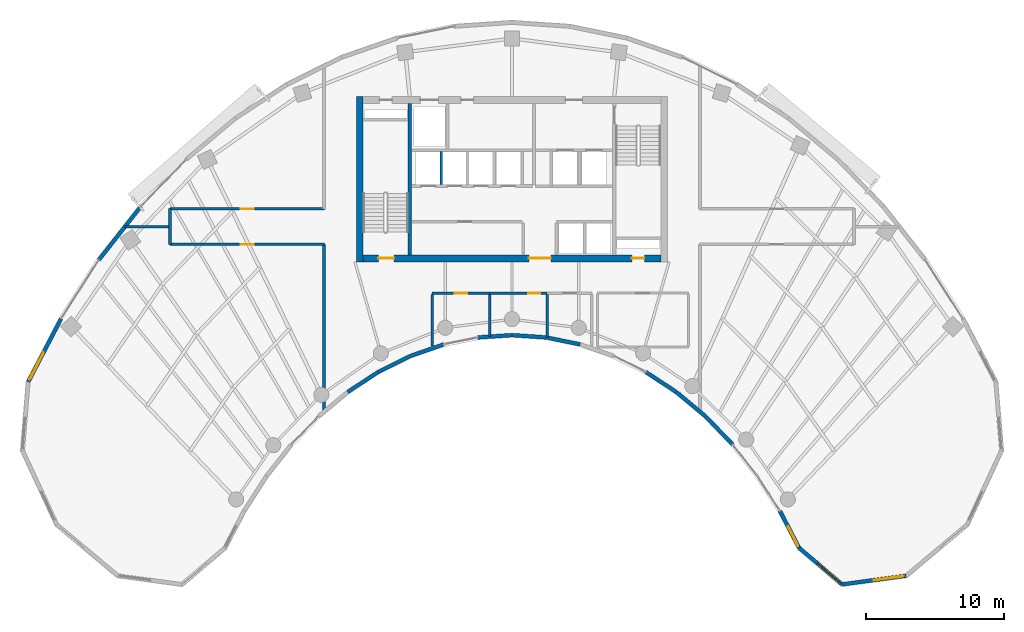
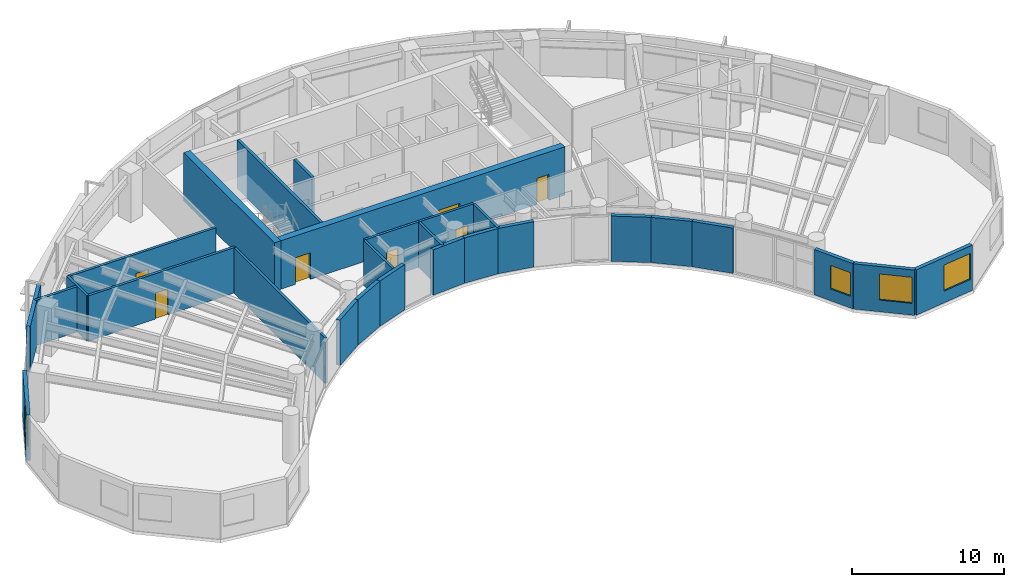
# One storey, part 8 of 13: 28 walls, 7 doors, 4 windows, 11 openings.
"""IFC4 building model written with IfcOpenShell, lengths in metres."""

from ifc_helpers import new_model, si_unit, direction, frame, frame_2d, origin, place, context, subcontext, project, spatial, rectangle, extrude, source, transform, mapped, material, layer, layer_set, type_object, type_shapes, element, fill, save


model = new_model("IFC4")

# Units and contexts
model_context = context("Model", 3, precision=1e-05, world=origin(), true_north=direction((0.0, 1.0)))
body_context = subcontext(model_context, "Body", "Model", "MODEL_VIEW")
ifc_project = project(units=[si_unit("LENGTHUNIT", "METRE"), si_unit("AREAUNIT", "SQUARE_METRE"), si_unit("VOLUMEUNIT", "CUBIC_METRE"), si_unit("PLANEANGLEUNIT", "RADIAN"), si_unit("MASSUNIT", "GRAM", prefix="KILO")], contexts=[model_context])

# Site, building, storey
site_placement = place(None, origin())
site = spatial("IfcSite", under=ifc_project, at=site_placement, CompositionType="ELEMENT")
building_placement = place(site_placement, origin())
building = spatial("IfcBuilding", under=site, at=building_placement, Name="Breltana Convention Tower", CompositionType="ELEMENT")
storey_placement = place(building_placement, frame((0.0, 0.0, 158.39990234375)))
storey = spatial("IfcBuildingStorey", under=building, at=storey_placement, Name="L38", CompositionType="ELEMENT", Elevation=158.39990234375)

# Wall
ifc_material_1 = material(Name="Concrete C60/75", Category="concrete")
ifc_layer_1 = layer(ifc_material_1, 0.5, Name="Concrete C60/75")
ifc_layer_set_1 = layer_set([ifc_layer_1], Name="Concrete C60/75")
wall_type_1 = type_object("IfcWallType", Name="SW-CORE-500", PredefinedType="SHEAR", material=ifc_layer_set_1)
shared_shape_1 = source(origin(), body_context, "Body", "SweptSolid", [
    extrude(rectangle(XDim=12.0, YDim=0.5, at=frame_2d((6.0, 0.0))), origin(), (0.0, 0.0, 1.0), 3.900146484375),
])
wall_1_placement = place(storey_placement, frame((36.949951171875, 60.199951171875, 0.0), z_axis=(0.0, 0.0, 1.0), x_axis=(0.0, 1.0, 0.0)))
element("IfcWall", 1, at=wall_1_placement, inside=storey, type_object=wall_type_1, Name="L38 West Core Shear Wall", PredefinedType="SHEAR", context=body_context, shape_type="MappedRepresentation", body=[
    mapped(shared_shape_1, transform((0.0, 0.0, 0.0), scale=1.0)),
])

# Wall, openings, doors
shared_shape_2 = source(origin(), body_context, "Body", "SweptSolid", [
    extrude(rectangle(XDim=21.60009765625, YDim=0.5, at=frame_2d((10.800048828125, 0.0))), origin(), (0.0, 0.0, 1.0), 3.900146484375),
])
wall_2_placement = place(storey_placement, frame((37.199951171875, 60.449951171875, 0.0), z_axis=(0.0, 0.0, 1.0), x_axis=(1.0, 0.0, 0.0)))
wall_2 = element("IfcWall", 2, at=wall_2_placement, inside=storey, type_object=wall_type_1, Name="L38 South Core Shear Wall", PredefinedType="SHEAR", context=body_context, shape_type="MappedRepresentation", body=[
    mapped(shared_shape_2, transform((0.0, 0.0, 0.0), scale=1.0)),
])
opening_1_placement = place(wall_2_placement, frame((1.10009765625, 0.0, 0.0)))
opening_1 = element("IfcOpeningElement", 3, at=opening_1_placement, cuts=wall_2, Name="Opening D-11", PredefinedType="OPENING", context=body_context, shape_type="SweptSolid", body=[
    extrude(rectangle(XDim=1.14990234375, YDim=2.14990234375, at=frame_2d((0.574951171875, 1.074951171875))), frame((0.0, 0.260009765625, 0.0), z_axis=(0.0, -1.0, 0.0), x_axis=(1.0, 0.0, 0.0)), (0.0, 0.0, 1.0), 0.52001953125),
])
opening_2_placement = place(wall_2_placement, frame((19.5, 0.0, 0.0)))
opening_2 = element("IfcOpeningElement", 4, at=opening_2_placement, cuts=wall_2, Name="Opening D-18", PredefinedType="OPENING", context=body_context, shape_type="SweptSolid", body=[
    extrude(rectangle(XDim=0.89990234375, YDim=2.10009765625, at=frame_2d((0.449951171875, 1.050048828125))), frame((0.0, 0.260009765625, 0.0), z_axis=(0.0, -1.0, 0.0), x_axis=(1.0, 0.0, 0.0)), (0.0, 0.0, 1.0), 0.52001953125),
])
opening_3_placement = place(wall_2_placement, frame((12.02001953125, 0.0, 0.0)))
opening_3 = element("IfcOpeningElement", 5, at=opening_3_placement, cuts=wall_2, Name="Opening D-02", PredefinedType="OPENING", context=body_context, shape_type="SweptSolid", body=[
    extrude(rectangle(XDim=1.60009765625, YDim=2.14990234375, at=frame_2d((0.800048828125, 1.074951171875))), frame((0.0, 0.260009765625, 0.0), z_axis=(0.0, -1.0, 0.0), x_axis=(1.0, 0.0, 0.0)), (0.0, 0.0, 1.0), 0.52001953125),
])
ifc_material_2 = material(Name="Steel Stair Exit Door", Category="steel")
door_type_1 = type_object("IfcDoorType", Name="DR-FD120-1150", OperationType="NOTDEFINED", PredefinedType="DOOR", material=ifc_material_2)
shared_shape_3 = source(origin(), body_context, "Body", "SweptSolid", [
    extrude(rectangle(XDim=1.14990234375, YDim=2.14990234375, at=frame_2d((0.574951171875, 1.074951171875))), frame((0.0, 0.02490234375, 0.0), z_axis=(0.0, -1.0, 0.0), x_axis=(1.0, 0.0, 0.0)), (0.0, 0.0, 1.0), 0.050048828125),
])
type_shapes(door_type_1, [shared_shape_3])
door_1_placement = place(opening_1_placement, origin())
door_1 = element("IfcDoor", 6, at=door_1_placement, inside=storey, type_object=door_type_1, Name="L38 interior door D-L38-ST1", OperationType="SINGLE_SWING_LEFT", OverallHeight=2.14990234375, OverallWidth=1.14990234375, PredefinedType="DOOR", context=body_context, shape_type="MappedRepresentation", body=[
    mapped(shared_shape_3, transform((0.0, 0.0, 0.0), scale=1.0)),
])
fill(opening_1, door_1)
ifc_material_3 = material(Name="Steel Riser Fire Door", Category="steel")
door_type_2 = type_object("IfcDoorType", Name="DR-FD60-900", OperationType="NOTDEFINED", PredefinedType="DOOR", material=ifc_material_3)
shared_shape_4 = source(origin(), body_context, "Body", "SweptSolid", [
    extrude(rectangle(XDim=0.89990234375, YDim=2.10009765625, at=frame_2d((0.449951171875, 1.050048828125))), frame((0.0, 0.02490234375, 0.0), z_axis=(0.0, -1.0, 0.0), x_axis=(1.0, 0.0, 0.0)), (0.0, 0.0, 1.0), 0.050048828125),
])
type_shapes(door_type_2, [shared_shape_4])
door_2_placement = place(opening_2_placement, origin())
door_2 = element("IfcDoor", 7, at=door_2_placement, inside=storey, type_object=door_type_2, Name="L38 Core Riser Access Door D-L38-RS2", OperationType="SINGLE_SWING_RIGHT", OverallHeight=2.10009765625, OverallWidth=0.89990234375, PredefinedType="DOOR", context=body_context, shape_type="MappedRepresentation", body=[
    mapped(shared_shape_4, transform((0.0, 0.0, 0.0), scale=1.0)),
])
fill(opening_2, door_2)
ifc_material_4 = material(Name="Steel Glazed Smoke-Control Door", Category="steel")
door_type_3 = type_object("IfcDoorType", Name="DR-DBL-FD90-1600", OperationType="DOUBLE_DOOR_SINGLE_SWING", PredefinedType="DOOR", material=ifc_material_4)
shared_shape_5 = source(origin(), body_context, "Body", "SweptSolid", [
    extrude(rectangle(XDim=1.60009765625, YDim=2.14990234375, at=frame_2d((0.800048828125, 1.074951171875))), frame((0.0, 0.02490234375, 0.0), z_axis=(0.0, -1.0, 0.0), x_axis=(1.0, 0.0, 0.0)), (0.0, 0.0, 1.0), 0.050048828125),
])
type_shapes(door_type_3, [shared_shape_5])
door_3_placement = place(opening_3_placement, origin())
door_3 = element("IfcDoor", 8, at=door_3_placement, inside=storey, type_object=door_type_3, Name="L38 interior door D-L38-LLB-S", OperationType="DOUBLE_DOOR_SINGLE_SWING", OverallHeight=2.14990234375, OverallWidth=1.60009765625, PredefinedType="DOOR", context=body_context, shape_type="MappedRepresentation", body=[
    mapped(shared_shape_5, transform((0.0, 0.0, 0.0), scale=1.0)),
])
fill(opening_3, door_3)

# Wall
ifc_material_5 = material(Name="Concrete C50/60", Category="concrete")
ifc_layer_2 = layer(ifc_material_5, 0.39990234375, Name="Concrete C50/60")
ifc_layer_set_2 = layer_set([ifc_layer_2], Name="Concrete C50/60")
wall_type_2 = type_object("IfcWallType", Name="SW-CORE-400", PredefinedType="SHEAR", material=ifc_layer_set_2)
shared_shape_6 = source(origin(), body_context, "Body", "SweptSolid", [
    extrude(rectangle(XDim=11.0, YDim=0.219970703125, at=frame_2d((5.5, 0.0))), origin(), (0.0, 0.0, 1.0), 3.900146484375),
])
wall_3_placement = place(storey_placement, frame((40.580078125, 60.699951171875, 0.0), z_axis=(0.0, 0.0, 1.0), x_axis=(0.0, 1.0, 0.0)))
element("IfcWall", 9, at=wall_3_placement, inside=storey, type_object=wall_type_2, Name="L38 Core West Stair Spine Wall", PredefinedType="SHEAR", context=body_context, shape_type="MappedRepresentation", body=[
    mapped(shared_shape_6, transform((0.0, 0.0, 0.0), scale=1.0)),
])

# Wall, opening, window
ifc_material_6 = material(Name="Limestone Buff Insulated Wall", Category="masonry")
ifc_layer_3 = layer(ifc_material_6, 0.280029296875, Name="Limestone Buff Insulated Wall")
ifc_layer_set_3 = layer_set([ifc_layer_3], Name="Limestone Buff Insulated Wall")
wall_type_3 = type_object("IfcWallType", Name="WL-EXT-NOSE-280", PredefinedType="SOLIDWALL", material=ifc_layer_set_3)
shared_shape_7 = source(origin(), body_context, "Body", "SweptSolid", [
    extrude(rectangle(XDim=4.680419921875, YDim=0.280029296875, at=frame_2d((2.34033203125, 0.0))), origin(), (0.0, 0.0, 1.0), 3.650146484375),
])
wall_4_placement = place(storey_placement, frame((76.594482421875, 37.41650390625, 0.0), z_axis=(0.0, 0.0, 1.0), x_axis=(-0.990931146435, -0.134370618162, 0.0)))
wall_4 = element("IfcWall", 10, at=wall_4_placement, inside=storey, type_object=wall_type_3, Name="L38 curved limestone nose wall E4", PredefinedType="SOLIDWALL", context=body_context, shape_type="MappedRepresentation", body=[
    mapped(shared_shape_7, transform((0.0, 0.0, 0.0), scale=1.0)),
])
opening_4_placement = place(wall_4_placement, frame((0.159912109375, 0.0, 0.949951171875)))
opening_4 = element("IfcOpeningElement", 11, at=opening_4_placement, cuts=wall_4, Name="Opening W-03", PredefinedType="OPENING", context=body_context, shape_type="SweptSolid", body=[
    extrude(rectangle(XDim=2.199951171875, YDim=2.10009765625, at=frame_2d((1.10009765625, 1.050048828125))), frame((0.0, 0.14990234375, 0.0), z_axis=(0.0, -1.0, 0.0), x_axis=(1.0, 0.0, 0.0)), (0.0, 0.0, 1.0), 0.300048828125),
])
ifc_material_7 = material(Name="Glass Low-E Insulated Window", Category="glass")
window_type_1 = type_object("IfcWindowType", Name="WN-NOSE-2200X2100", PartitioningType="TRIPLE_PANEL_VERTICAL", PredefinedType="WINDOW", material=ifc_material_7)
shared_shape_8 = source(origin(), body_context, "Body", "SweptSolid", [
    extrude(rectangle(XDim=2.199951171875, YDim=2.10009765625, at=frame_2d((1.10009765625, 1.050048828125))), frame((0.0, 0.030029296875, 0.0), z_axis=(0.0, -1.0, 0.0), x_axis=(1.0, 0.0, 0.0)), (0.0, 0.0, 1.0), 0.06005859375),
])
type_shapes(window_type_1, [shared_shape_8])
window_1_placement = place(opening_4_placement, origin())
window_1 = element("IfcWindow", 12, at=window_1_placement, inside=storey, type_object=window_type_1, Name="L38 nose window E4", OverallHeight=2.10009765625, OverallWidth=2.199951171875, PartitioningType="TRIPLE_PANEL_VERTICAL", PredefinedType="WINDOW", context=body_context, shape_type="MappedRepresentation", body=[
    mapped(shared_shape_8, transform((0.0, 0.0, 0.0), scale=1.0)),
])
fill(opening_4, window_1)

shared_shape_9 = source(origin(), body_context, "Body", "SweptSolid", [
    extrude(rectangle(XDim=4.095947265625, YDim=0.280029296875, at=frame_2d((2.0478515625, 0.0))), origin(), (0.0, 0.0, 1.0), 3.650146484375),
])
wall_5_placement = place(storey_placement, frame((71.95654296875, 36.78759765625, 0.0), z_axis=(0.0, 0.0, 1.0), x_axis=(-0.761926081737, 0.647663991564, 0.0)))
wall_5 = element("IfcWall", 13, at=wall_5_placement, inside=storey, type_object=wall_type_3, Name="L38 curved limestone nose wall E5", PredefinedType="SOLIDWALL", context=body_context, shape_type="MappedRepresentation", body=[
    mapped(shared_shape_9, transform((0.0, 0.0, 0.0), scale=1.0)),
])
opening_5_placement = place(wall_5_placement, frame((0.159912109375, 0.0, 0.949951171875)))
opening_5 = element("IfcOpeningElement", 14, at=opening_5_placement, cuts=wall_5, Name="Opening W-03", PredefinedType="OPENING", context=body_context, shape_type="SweptSolid", body=[
    extrude(rectangle(XDim=2.199951171875, YDim=2.10009765625, at=frame_2d((1.10009765625, 1.050048828125))), frame((0.0, 0.14990234375, 0.0), z_axis=(0.0, -1.0, 0.0), x_axis=(1.0, 0.0, 0.0)), (0.0, 0.0, 1.0), 0.300048828125),
])
window_2_placement = place(opening_5_placement, origin())
window_2 = element("IfcWindow", 15, at=window_2_placement, inside=storey, type_object=window_type_1, Name="L38 nose window E5", OverallHeight=2.10009765625, OverallWidth=2.199951171875, PartitioningType="TRIPLE_PANEL_VERTICAL", PredefinedType="WINDOW", context=body_context, shape_type="MappedRepresentation", body=[
    mapped(shared_shape_8, transform((0.0, 0.0, 0.0), scale=1.0)),
])
fill(opening_5, window_2)

shared_shape_10 = source(origin(), body_context, "Body", "SweptSolid", [
    extrude(rectangle(XDim=3.02392578125, YDim=0.280029296875, at=frame_2d((1.511962890625, 0.0))), origin(), (0.0, 0.0, 1.0), 3.650146484375),
])
wall_6_placement = place(storey_placement, frame((68.835693359375, 39.4404296875, 0.0), z_axis=(0.0, 0.0, 1.0), x_axis=(-0.461718746531, 0.887026380161, 0.0)))
wall_6 = element("IfcWall", 16, at=wall_6_placement, inside=storey, type_object=wall_type_3, Name="L38 curved limestone nose wall E6", PredefinedType="SOLIDWALL", context=body_context, shape_type="MappedRepresentation", body=[
    mapped(shared_shape_10, transform((0.0, 0.0, 0.0), scale=1.0)),
])
opening_6_placement = place(wall_6_placement, frame((0.159912109375, 0.0, 0.949951171875)))
opening_6 = element("IfcOpeningElement", 17, at=opening_6_placement, cuts=wall_6, Name="Opening W-04", PredefinedType="OPENING", context=body_context, shape_type="SweptSolid", body=[
    extrude(rectangle(XDim=1.60009765625, YDim=1.89990234375, at=frame_2d((0.800048828125, 0.949951171875))), frame((0.0, 0.14990234375, 0.0), z_axis=(0.0, -1.0, 0.0), x_axis=(1.0, 0.0, 0.0)), (0.0, 0.0, 1.0), 0.300048828125),
])
window_type_2 = type_object("IfcWindowType", Name="WN-NOSE-1600X1900", PartitioningType="SINGLE_PANEL", PredefinedType="WINDOW", material=ifc_material_7)
shared_shape_11 = source(origin(), body_context, "Body", "SweptSolid", [
    extrude(rectangle(XDim=1.60009765625, YDim=1.89990234375, at=frame_2d((0.800048828125, 0.949951171875))), frame((0.0, 0.030029296875, 0.0), z_axis=(0.0, -1.0, 0.0), x_axis=(1.0, 0.0, 0.0)), (0.0, 0.0, 1.0), 0.06005859375),
])
type_shapes(window_type_2, [shared_shape_11])
window_3_placement = place(opening_6_placement, origin())
window_3 = element("IfcWindow", 18, at=window_3_placement, inside=storey, type_object=window_type_2, Name="L38 nose window E6", OverallHeight=1.89990234375, OverallWidth=1.60009765625, PartitioningType="SINGLE_PANEL", PredefinedType="WINDOW", context=body_context, shape_type="MappedRepresentation", body=[
    mapped(shared_shape_11, transform((0.0, 0.0, 0.0), scale=1.0)),
])
fill(opening_6, window_3)

# Walls
shared_shape_12 = source(origin(), body_context, "Body", "SweptSolid", [
    extrude(rectangle(XDim=2.812255859375, YDim=0.280029296875, at=frame_2d((1.40625, 0.0))), origin(), (0.0, 0.0, 1.0), 3.650146484375),
])
wall_7_placement = place(storey_placement, frame((64.00830078125, 46.9501953125, 0.0), z_axis=(0.0, 0.0, 1.0), x_axis=(-0.694583668785, 0.719411931411, 0.0)))
element("IfcWall", 19, at=wall_7_placement, inside=storey, type_object=wall_type_3, Name="L38 curved limestone nose wall E7", PredefinedType="SOLIDWALL", context=body_context, shape_type="MappedRepresentation", body=[
    mapped(shared_shape_12, transform((0.0, 0.0, 0.0), scale=1.0)),
])
shared_shape_13 = source(origin(), body_context, "Body", "SweptSolid", [
    extrude(rectangle(XDim=2.7294921875, YDim=0.280029296875, at=frame_2d((1.36474609375, 0.0))), origin(), (0.0, 0.0, 1.0), 3.650146484375),
])
wall_8_placement = place(storey_placement, frame((62.040771484375, 48.986572265625, 0.0), z_axis=(0.0, 0.0, 1.0), x_axis=(-0.767957284255, 0.640501061326, 0.0)))
element("IfcWall", 20, at=wall_8_placement, inside=storey, type_object=wall_type_3, Name="L38 curved limestone nose wall E8", PredefinedType="SOLIDWALL", context=body_context, shape_type="MappedRepresentation", body=[
    mapped(shared_shape_13, transform((0.0, 0.0, 0.0), scale=1.0)),
])
shared_shape_14 = source(origin(), body_context, "Body", "SweptSolid", [
    extrude(rectangle(XDim=2.58447265625, YDim=0.280029296875, at=frame_2d((1.292236328125, 0.0))), origin(), (0.0, 0.0, 1.0), 3.650146484375),
])
wall_9_placement = place(storey_placement, frame((40.62353515625, 53.361083984375, 0.0), z_axis=(0.0, 0.0, 1.0), x_axis=(-0.895989792847, -0.44407464588, 0.0)))
element("IfcWall", 21, at=wall_9_placement, inside=storey, type_object=wall_type_3, Name="L38 curved limestone nose wall E15", PredefinedType="SOLIDWALL", context=body_context, shape_type="MappedRepresentation", body=[
    mapped(shared_shape_14, transform((0.0, 0.0, 0.0), scale=1.0)),
])
shared_shape_15 = source(origin(), body_context, "Body", "SweptSolid", [
    extrude(rectangle(XDim=2.52978515625, YDim=0.280029296875, at=frame_2d((1.264892578125, 0.0))), origin(), (0.0, 0.0, 1.0), 3.650146484375),
])
wall_10_placement = place(storey_placement, frame((43.034912109375, 54.1982421875, 0.0), z_axis=(0.0, 0.0, 1.0), x_axis=(-0.944872429646, -0.327438683872, 0.0)))
element("IfcWall", 22, at=wall_10_placement, inside=storey, type_object=wall_type_3, Name="L38 curved limestone nose wall E14", PredefinedType="SOLIDWALL", context=body_context, shape_type="MappedRepresentation", body=[
    mapped(shared_shape_15, transform((0.0, 0.0, 0.0), scale=1.0)),
])
shared_shape_16 = source(origin(), body_context, "Body", "SweptSolid", [
    extrude(rectangle(XDim=2.4912109375, YDim=0.280029296875, at=frame_2d((1.24560546875, 0.0))), origin(), (0.0, 0.0, 1.0), 3.650146484375),
])
wall_11_placement = place(storey_placement, frame((52.9423828125, 54.20458984375, 0.0), z_axis=(0.0, 0.0, 1.0), x_axis=(-0.979630885979, 0.200806691214, 0.0)))
element("IfcWall", 23, at=wall_11_placement, inside=storey, type_object=wall_type_3, Name="L38 curved limestone nose wall E11", PredefinedType="SOLIDWALL", context=body_context, shape_type="MappedRepresentation", body=[
    mapped(shared_shape_16, transform((0.0, 0.0, 0.0), scale=1.0)),
])
shared_shape_17 = source(origin(), body_context, "Body", "SweptSolid", [
    extrude(rectangle(XDim=2.471435546875, YDim=0.280029296875, at=frame_2d((1.23583984375, 0.0))), origin(), (0.0, 0.0, 1.0), 3.650146484375),
])
for number, where, z_axis, x_axis, name in (
    (24, (50.47802734375, 54.708251953125, 0.0), (0.0, 0.0, 1.0), (-0.997708006929, 0.067666335123, 0.0), "L38 curved limestone nose wall E12"),
    (25, (47.98779296875, 54.87548828125, 0.0), (0.0, 0.0, 1.0), (-0.997708006929, -0.067666335123, 0.0), "L38 curved limestone nose wall E13"),
):
    element("IfcWall", number, at=place(storey_placement, frame(where, z_axis=z_axis, x_axis=x_axis)), inside=storey, type_object=wall_type_3, Name=name, PredefinedType="SOLIDWALL", context=body_context, shape_type="MappedRepresentation", body=[
        mapped(shared_shape_17, transform((0.0, 0.0, 0.0), scale=1.0)),
    ])
shared_shape_18 = source(origin(), body_context, "Body", "SweptSolid", [
    extrude(rectangle(XDim=2.65234375, YDim=0.280029296875, at=frame_2d((1.326171875, 0.0))), origin(), (0.0, 0.0, 1.0), 3.650146484375),
])
for number, where, z_axis, x_axis, name in (
    (26, (59.92822265625, 50.7470703125, 0.0), (0.0, 0.0, 1.0), (-0.836008323535, 0.54871676025, 0.0), "L38 curved limestone nose wall E9"),
    (27, (38.2890625, 52.202392578125, 0.0), (0.0, 0.0, 1.0), (-0.836008323535, -0.54871676025, 0.0), "L38 curved limestone nose wall E16"),
):
    element("IfcWall", number, at=place(storey_placement, frame(where, z_axis=z_axis, x_axis=x_axis)), inside=storey, type_object=wall_type_3, Name=name, PredefinedType="SOLIDWALL", context=body_context, shape_type="MappedRepresentation", body=[
        mapped(shared_shape_18, transform((0.0, 0.0, 0.0), scale=1.0)),
    ])

# Wall, opening, window
shared_shape_19 = source(origin(), body_context, "Body", "SweptSolid", [
    extrude(rectangle(XDim=5.1708984375, YDim=0.280029296875, at=frame_2d((2.58544921875, 0.0))), origin(), (0.0, 0.0, 1.0), 3.650146484375),
])
wall_12_placement = place(storey_placement, frame((12.897705078125, 51.48876953125, 0.0), z_axis=(0.0, 0.0, 1.0), x_axis=(0.461752581363, 0.887008767491, 0.0)))
wall_12 = element("IfcWall", 28, at=wall_12_placement, inside=storey, type_object=wall_type_3, Name="L38 curved limestone nose wall W7", PredefinedType="SOLIDWALL", context=body_context, shape_type="MappedRepresentation", body=[
    mapped(shared_shape_19, transform((0.0, 0.0, 0.0), scale=1.0)),
])
opening_7_placement = place(wall_12_placement, frame((0.19287109375, 0.0, 0.949951171875)))
opening_7 = element("IfcOpeningElement", 29, at=opening_7_placement, cuts=wall_12, Name="Opening W-03", PredefinedType="OPENING", context=body_context, shape_type="SweptSolid", body=[
    extrude(rectangle(XDim=2.199951171875, YDim=2.10009765625, at=frame_2d((1.10009765625, 1.050048828125))), frame((0.0, 0.14990234375, 0.0), z_axis=(0.0, -1.0, 0.0), x_axis=(1.0, 0.0, 0.0)), (0.0, 0.0, 1.0), 0.300048828125),
])
window_4_placement = place(opening_7_placement, origin())
window_4 = element("IfcWindow", 30, at=window_4_placement, inside=storey, type_object=window_type_1, Name="L38 nose window W7", OverallHeight=2.10009765625, OverallWidth=2.199951171875, PartitioningType="TRIPLE_PANEL_VERTICAL", PredefinedType="WINDOW", context=body_context, shape_type="MappedRepresentation", body=[
    mapped(shared_shape_8, transform((0.0, 0.0, 0.0), scale=1.0)),
])
fill(opening_7, window_4)

# Walls
shared_shape_20 = source(origin(), body_context, "Body", "SweptSolid", [
    extrude(rectangle(XDim=4.921630859375, YDim=0.280029296875, at=frame_2d((2.4609375, 0.0))), origin(), (0.0, 0.0, 1.0), 3.650146484375),
])
wall_13_placement = place(storey_placement, frame((18.021240234375, 60.337646484375, 0.0), z_axis=(0.0, 0.0, 1.0), x_axis=(0.61817639101, 0.786039407153, 0.0)))
element("IfcWall", 31, at=wall_13_placement, inside=storey, type_object=wall_type_3, Name="L38 curved limestone nose wall E20", PredefinedType="SOLIDWALL", context=body_context, shape_type="MappedRepresentation", body=[
    mapped(shared_shape_20, transform((0.0, 0.0, 0.0), scale=1.0)),
])
ifc_material_8 = material(Name="Autoclaved Aerated Concrete Block", Category="concrete")
ifc_layer_4 = layer(ifc_material_8, 0.199951171875, Name="Autoclaved Aerated Concrete Block")
ifc_layer_set_4 = layer_set([ifc_layer_4], Name="Autoclaved Aerated Concrete Block")
wall_type_4 = type_object("IfcWallType", Name="WL-SHAFT-200", PredefinedType="SOLIDWALL", material=ifc_layer_set_4)
shared_shape_21 = source(origin(), body_context, "Body", "SweptSolid", [
    extrude(rectangle(XDim=2.39990234375, YDim=0.199951171875, at=frame_2d((1.199951171875, 0.0))), origin(), (0.0, 0.0, 1.0), 3.650146484375),
])
wall_14_placement = place(storey_placement, frame((42.8701171875, 65.800048828125, 0.0), z_axis=(0.0, 0.0, 1.0), x_axis=(0.0, 1.0, 0.0)))
element("IfcWall", 32, at=wall_14_placement, inside=storey, type_object=wall_type_4, Name="L38 interior partition W-L38-SH-M-DIV1", PredefinedType="SOLIDWALL", context=body_context, shape_type="MappedRepresentation", body=[
    mapped(shared_shape_21, transform((0.0, 0.0, 0.0), scale=1.0)),
])

# Wall, opening, door
ifc_material_9 = material(Name="Moisture-Resistant Gypsum Chase Wall")
ifc_layer_5 = layer(ifc_material_9, 0.179931640625, Name="Moisture-Resistant Gypsum Chase Wall")
ifc_layer_set_5 = layer_set([ifc_layer_5], Name="Moisture-Resistant Gypsum Chase Wall")
wall_type_5 = type_object("IfcWallType", Name="WL-PLUMB-180", PredefinedType="PLUMBINGWALL", material=ifc_layer_set_5)
shared_shape_22 = source(origin(), body_context, "Body", "SweptSolid", [
    extrude(rectangle(XDim=4.176025390625, YDim=0.179931640625, at=frame_2d((2.087890625, 0.0))), origin(), (0.0, 0.0, 1.0), 3.650146484375),
])
wall_15_placement = place(storey_placement, frame((42.199951171875, 57.919921875, 0.0), z_axis=(0.0, 0.0, 1.0), x_axis=(1.0, 0.0, 0.0)))
wall_15 = element("IfcWall", 33, at=wall_15_placement, inside=storey, type_object=wall_type_5, Name="L38 interior partition W-L38-WCM-N", PredefinedType="PLUMBINGWALL", context=body_context, shape_type="MappedRepresentation", body=[
    mapped(shared_shape_22, transform((0.0, 0.0, 0.0), scale=1.0)),
])
opening_8_placement = place(wall_15_placement, frame((1.637939453125, 0.0, 0.0)))
opening_8 = element("IfcOpeningElement", 34, at=opening_8_placement, cuts=wall_15, Name="Opening D-19", PredefinedType="OPENING", context=body_context, shape_type="SweptSolid", body=[
    extrude(rectangle(XDim=0.89990234375, YDim=2.080078125, at=frame_2d((0.449951171875, 1.0400390625))), frame((0.0, 0.10009765625, 0.0), z_axis=(0.0, -1.0, 0.0), x_axis=(1.0, 0.0, 0.0)), (0.0, 0.0, 1.0), 0.199951171875),
])
ifc_material_10 = material(Name="Timber Moisture-Resistant Door", Category="wood")
door_type_4 = type_object("IfcDoorType", Name="DR-WC-900", OperationType="NOTDEFINED", PredefinedType="DOOR", material=ifc_material_10)
shared_shape_23 = source(origin(), body_context, "Body", "SweptSolid", [
    extrude(rectangle(XDim=0.89990234375, YDim=2.080078125, at=frame_2d((0.449951171875, 1.0400390625))), frame((0.0, 0.02490234375, 0.0), z_axis=(0.0, -1.0, 0.0), x_axis=(1.0, 0.0, 0.0)), (0.0, 0.0, 1.0), 0.050048828125),
])
type_shapes(door_type_4, [shared_shape_23])
door_4_placement = place(opening_8_placement, origin())
door_4 = element("IfcDoor", 35, at=door_4_placement, inside=storey, type_object=door_type_4, Name="L38 interior door D-L38-WCM", OperationType="SINGLE_SWING_RIGHT", OverallHeight=2.080078125, OverallWidth=0.89990234375, PredefinedType="DOOR", context=body_context, shape_type="MappedRepresentation", body=[
    mapped(shared_shape_23, transform((0.0, 0.0, 0.0), scale=1.0)),
])
fill(opening_8, door_4)

wall_16_placement = place(storey_placement, frame((46.3759765625, 57.919921875, 0.0), z_axis=(0.0, 0.0, 1.0), x_axis=(1.0, 0.0, 0.0)))
wall_16 = element("IfcWall", 36, at=wall_16_placement, inside=storey, type_object=wall_type_5, Name="L38 interior partition W-L38-WCF-N", PredefinedType="PLUMBINGWALL", context=body_context, shape_type="MappedRepresentation", body=[
    mapped(shared_shape_22, transform((0.0, 0.0, 0.0), scale=1.0)),
])
opening_9_placement = place(wall_16_placement, frame((2.7880859375, 0.0, 0.0)))
opening_9 = element("IfcOpeningElement", 37, at=opening_9_placement, cuts=wall_16, Name="Opening D-19", PredefinedType="OPENING", context=body_context, shape_type="SweptSolid", body=[
    extrude(rectangle(XDim=0.89990234375, YDim=2.080078125, at=frame_2d((0.449951171875, 1.0400390625))), frame((0.0, 0.10009765625, 0.0), z_axis=(0.0, -1.0, 0.0), x_axis=(1.0, 0.0, 0.0)), (0.0, 0.0, 1.0), 0.199951171875),
])
door_5_placement = place(opening_9_placement, origin())
door_5 = element("IfcDoor", 38, at=door_5_placement, inside=storey, type_object=door_type_4, Name="L38 interior door D-L38-WCF", OperationType="SINGLE_SWING_LEFT", OverallHeight=2.080078125, OverallWidth=0.89990234375, PredefinedType="DOOR", context=body_context, shape_type="MappedRepresentation", body=[
    mapped(shared_shape_23, transform((0.0, 0.0, 0.0), scale=1.0)),
])
fill(opening_9, door_5)

# Walls
ifc_material_11 = material(Name="Cement Board Wet-Area Partition")
ifc_layer_6 = layer(ifc_material_11, 0.175048828125, Name="Cement Board Wet-Area Partition")
ifc_layer_set_6 = layer_set([ifc_layer_6], Name="Cement Board Wet-Area Partition")
wall_type_6 = type_object("IfcWallType", Name="WL-WET-175", PredefinedType="PARTITIONING", material=ifc_layer_set_6)
shared_shape_24 = source(origin(), body_context, "Body", "SweptSolid", [
    extrude(rectangle(XDim=3.7626953125, YDim=0.175048828125, at=frame_2d((1.88134765625, 0.0))), origin(), (0.0, 0.0, 1.0), 3.650146484375),
])
wall_17_placement = place(storey_placement, frame((42.199951171875, 54.07861328125, 0.0), z_axis=(0.0, 0.0, 1.0), x_axis=(0.0, 1.0, 0.0)))
element("IfcWall", 39, at=wall_17_placement, inside=storey, type_object=wall_type_6, Name="L38 interior partition W-L38-WCM-W", PredefinedType="PARTITIONING", context=body_context, shape_type="MappedRepresentation", body=[
    mapped(shared_shape_24, transform((0.0, 0.0, 0.0), scale=1.0)),
])
ifc_material_12 = material(Name="Gypsum Acoustic Hotel Wall")
ifc_layer_7 = layer(ifc_material_12, 0.195068359375, Name="Gypsum Acoustic Hotel Wall")
ifc_layer_set_7 = layer_set([ifc_layer_7], Name="Gypsum Acoustic Hotel Wall")
wall_type_7 = type_object("IfcWallType", Name="WL-HOTEL-200", PredefinedType="PARTITIONING", material=ifc_layer_set_7)
shared_shape_25 = source(origin(), body_context, "Body", "SweptSolid", [
    extrude(rectangle(XDim=2.6201171875, YDim=0.195068359375, at=frame_2d((1.31005859375, 0.0))), origin(), (0.0, 0.0, 1.0), 3.650146484375),
])
wall_18_placement = place(storey_placement, frame((23.179931640625, 61.43994140625, 0.0), z_axis=(0.0, 0.0, 1.0), x_axis=(0.0, 1.0, 0.0)))
element("IfcWall", 40, at=wall_18_placement, inside=storey, type_object=wall_type_7, Name="L38 interior partition W-L38-ZFW-CAP", PredefinedType="PARTITIONING", context=body_context, shape_type="MappedRepresentation", body=[
    mapped(shared_shape_25, transform((0.0, 0.0, 0.0), scale=1.0)),
])
shared_shape_26 = source(origin(), body_context, "Body", "SweptSolid", [
    extrude(rectangle(XDim=3.065185546875, YDim=0.175048828125, at=frame_2d((1.53271484375, 0.0))), origin(), (0.0, 0.0, 1.0), 3.650146484375),
])
wall_19_placement = place(storey_placement, frame((46.3759765625, 54.776123046875, 0.0), z_axis=(0.0, 0.0, 1.0), x_axis=(0.0, 1.0, 0.0)))
element("IfcWall", 41, at=wall_19_placement, inside=storey, type_object=wall_type_6, Name="L38 interior partition W-L38-WCM-E", PredefinedType="PARTITIONING", context=body_context, shape_type="MappedRepresentation", body=[
    mapped(shared_shape_26, transform((0.0, 0.0, 0.0), scale=1.0)),
])
shared_shape_27 = source(origin(), body_context, "Body", "SweptSolid", [
    extrude(rectangle(XDim=3.136474609375, YDim=0.175048828125, at=frame_2d((1.568359375, 0.0))), origin(), (0.0, 0.0, 1.0), 3.650146484375),
])
wall_20_placement = place(storey_placement, frame((50.552001953125, 54.704833984375, 0.0), z_axis=(0.0, 0.0, 1.0), x_axis=(0.0, 1.0, 0.0)))
element("IfcWall", 42, at=wall_20_placement, inside=storey, type_object=wall_type_6, Name="L38 interior partition W-L38-WCF-E", PredefinedType="PARTITIONING", context=body_context, shape_type="MappedRepresentation", body=[
    mapped(shared_shape_27, transform((0.0, 0.0, 0.0), scale=1.0)),
])

# Wall, opening, door
shared_shape_28 = source(origin(), body_context, "Body", "SweptSolid", [
    extrude(rectangle(XDim=11.219970703125, YDim=0.195068359375, at=frame_2d((5.60986328125, 0.0))), origin(), (0.0, 0.0, 1.0), 3.650146484375),
])
wall_21_placement = place(storey_placement, frame((23.179931640625, 64.0400390625, 0.0), z_axis=(0.0, 0.0, 1.0), x_axis=(1.0, 0.0, 0.0)))
wall_21 = element("IfcWall", 43, at=wall_21_placement, inside=storey, type_object=wall_type_7, Name="L38 interior partition W-L38-ZWN1-D", PredefinedType="PARTITIONING", context=body_context, shape_type="MappedRepresentation", body=[
    mapped(shared_shape_28, transform((0.0, 0.0, 0.0), scale=1.0)),
])
opening_10_placement = place(wall_21_placement, frame((5.135009765625, 0.0, 0.0)))
opening_10 = element("IfcOpeningElement", 44, at=opening_10_placement, cuts=wall_21, Name="Opening D-17", PredefinedType="OPENING", context=body_context, shape_type="SweptSolid", body=[
    extrude(rectangle(XDim=0.949951171875, YDim=2.10009765625, at=frame_2d((0.47509765625, 1.050048828125))), frame((0.0, 0.107421875, 0.0), z_axis=(0.0, -1.0, 0.0), x_axis=(1.0, 0.0, 0.0)), (0.0, 0.0, 1.0), 0.215087890625),
])
ifc_material_13 = material(Name="Timber Oak Veneer Door", Category="wood")
door_type_5 = type_object("IfcDoorType", Name="DR-INT-950", OperationType="NOTDEFINED", PredefinedType="DOOR", material=ifc_material_13)
shared_shape_29 = source(origin(), body_context, "Body", "SweptSolid", [
    extrude(rectangle(XDim=0.949951171875, YDim=2.10009765625, at=frame_2d((0.47509765625, 1.050048828125))), frame((0.0, 0.02490234375, 0.0), z_axis=(0.0, -1.0, 0.0), x_axis=(1.0, 0.0, 0.0)), (0.0, 0.0, 1.0), 0.050048828125),
])
type_shapes(door_type_5, [shared_shape_29])
door_6_placement = place(opening_10_placement, origin())
door_6 = element("IfcDoor", 45, at=door_6_placement, inside=storey, type_object=door_type_5, Name="L38 interior door D-L38-ZWN1", OperationType="SINGLE_SWING_RIGHT", OverallHeight=2.10009765625, OverallWidth=0.949951171875, PredefinedType="DOOR", context=body_context, shape_type="MappedRepresentation", body=[
    mapped(shared_shape_29, transform((0.0, 0.0, 0.0), scale=1.0)),
])
fill(opening_10, door_6)

wall_22_placement = place(storey_placement, frame((23.179931640625, 61.4599609375, 0.0), z_axis=(0.0, 0.0, 1.0), x_axis=(1.0, 0.0, 0.0)))
wall_22 = element("IfcWall", 46, at=wall_22_placement, inside=storey, type_object=wall_type_7, Name="L38 interior partition W-L38-ZWS1-D", PredefinedType="PARTITIONING", context=body_context, shape_type="MappedRepresentation", body=[
    mapped(shared_shape_28, transform((0.0, 0.0, 0.0), scale=1.0)),
])
opening_11_placement = place(wall_22_placement, frame((5.135009765625, 0.0, 0.0)))
opening_11 = element("IfcOpeningElement", 47, at=opening_11_placement, cuts=wall_22, Name="Opening D-17", PredefinedType="OPENING", context=body_context, shape_type="SweptSolid", body=[
    extrude(rectangle(XDim=0.949951171875, YDim=2.10009765625, at=frame_2d((0.47509765625, 1.050048828125))), frame((0.0, 0.107421875, 0.0), z_axis=(0.0, -1.0, 0.0), x_axis=(1.0, 0.0, 0.0)), (0.0, 0.0, 1.0), 0.215087890625),
])
door_7_placement = place(opening_11_placement, origin())
door_7 = element("IfcDoor", 48, at=door_7_placement, inside=storey, type_object=door_type_5, Name="L38 interior door D-L38-ZWS1", OperationType="SINGLE_SWING_LEFT", OverallHeight=2.10009765625, OverallWidth=0.949951171875, PredefinedType="DOOR", context=body_context, shape_type="MappedRepresentation", body=[
    mapped(shared_shape_29, transform((0.0, 0.0, 0.0), scale=1.0)),
])
fill(opening_11, door_7)

# Walls
shared_shape_30 = source(origin(), body_context, "Body", "SweptSolid", [
    extrude(rectangle(XDim=12.126220703125, YDim=0.195068359375, at=frame_2d((6.06298828125, 0.0))), origin(), (0.0, 0.0, 1.0), 3.650146484375),
])
wall_23_placement = place(storey_placement, frame((34.360107421875, 49.333740234375, 0.0), z_axis=(0.0, 0.0, 1.0), x_axis=(0.0, 1.0, 0.0)))
element("IfcWall", 49, at=wall_23_placement, inside=storey, type_object=wall_type_7, Name="L38 interior partition W-L38-ZODD-WC", PredefinedType="PARTITIONING", context=body_context, shape_type="MappedRepresentation", body=[
    mapped(shared_shape_30, transform((0.0, 0.0, 0.0), scale=1.0)),
])
shared_shape_31 = source(origin(), body_context, "Body", "SweptSolid", [
    extrude(rectangle(XDim=3.248779296875, YDim=0.195068359375, at=frame_2d((1.62451171875, 0.0))), origin(), (0.0, 0.0, 1.0), 3.650146484375),
])
wall_24_placement = place(storey_placement, frame((19.93115234375, 62.75, 0.0), z_axis=(0.0, 0.0, 1.0), x_axis=(1.0, 0.0, 0.0)))
element("IfcWall", 50, at=wall_24_placement, inside=storey, type_object=wall_type_7, Name="L38 interior partition W-L38-ZFW-EXT", PredefinedType="PARTITIONING", context=body_context, shape_type="MappedRepresentation", body=[
    mapped(shared_shape_31, transform((0.0, 0.0, 0.0), scale=1.0)),
])

save(model, "model.ifc")
